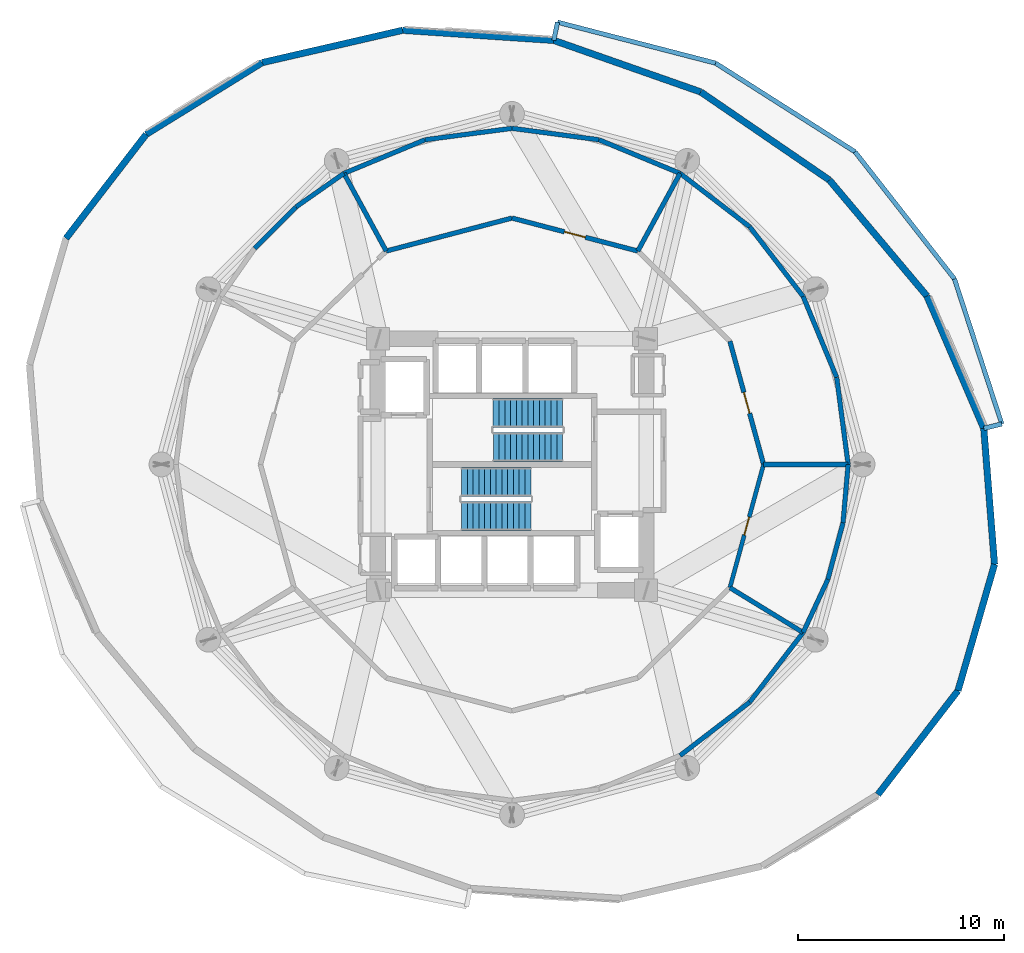
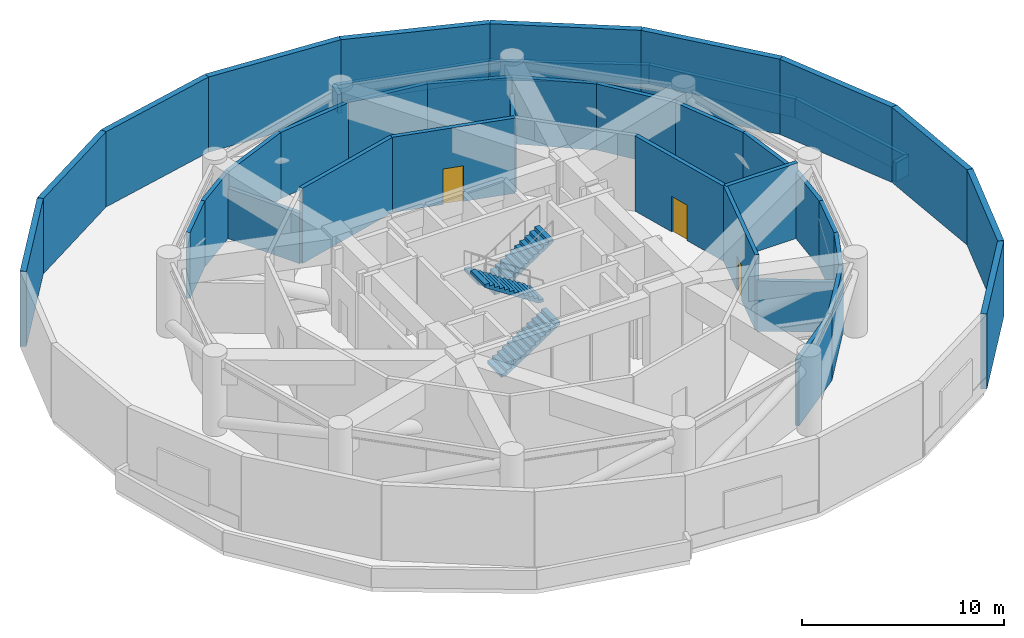
# One storey, part 4 of 6: 40 walls, 4 stair flights, 3 doors, 3 openings, 2 elements without a shape of their own.
"""IFC4 building model written with IfcOpenShell, lengths in metres."""

from ifc_helpers import new_model, si_unit, direction, frame, frame_2d, origin, place, context, subcontext, project, spatial, polyline, rectangle, outline, extrude, material, layer, layer_set, type_object, element, fill, aggregate, save


model = new_model("IFC4")

# Units and contexts
model_context = context("Model", 3, precision=1e-05, world=origin(), true_north=direction((0.0, 1.0)))
body_context = subcontext(model_context, "Body", "Model", "MODEL_VIEW")
ifc_project = project(units=[si_unit("LENGTHUNIT", "METRE"), si_unit("AREAUNIT", "SQUARE_METRE"), si_unit("VOLUMEUNIT", "CUBIC_METRE"), si_unit("PLANEANGLEUNIT", "RADIAN"), si_unit("MASSUNIT", "GRAM", prefix="KILO")], contexts=[model_context])

# Site, building, storey
site_placement = place(None, origin())
site = spatial("IfcSite", under=ifc_project, at=site_placement, CompositionType="ELEMENT")
building_placement = place(site_placement, origin())
building = spatial("IfcBuilding", under=site, at=building_placement, Name="Solvirekh Grand Hotel", CompositionType="ELEMENT")
storey_placement = place(building_placement, frame((0.0, 0.0, 93.199951171875)))
storey = spatial("IfcBuildingStorey", under=building, at=storey_placement, Name="L23", CompositionType="ELEMENT", Elevation=93.199951171875)

# Walls
ifc_material_1 = material(Name="Precast concrete C45/55", Category="concrete")
ifc_layer_1 = layer(ifc_material_1, 0.320068359375)
ifc_layer_set_1 = layer_set([ifc_layer_1], Name="Precast concrete C45/55")
wall_type_1 = type_object("IfcWallType", Name="ExtLobbyWall_RC320", PredefinedType="SOLIDWALL", material=ifc_layer_set_1)
wall_1_placement = place(storey_placement, frame((23.39990234375, -4.845947265625, 0.0), z_axis=(0.0, 0.0, 1.0), x_axis=(-0.277909152838, -0.960607361396, 0.0)))
element("IfcWall", 1, at=wall_1_placement, inside=storey, type_object=wall_type_1, Name="L23 exterior structural wall chord 1", PredefinedType="SOLIDWALL", context=body_context, shape_type="SweptSolid", body=[
    extrude(rectangle(XDim=6.369140625, YDim=0.320068359375, at=frame_2d((3.1845703125, 0.0))), origin(), (0.0, 0.0, 1.0), 4.550048828125),
])
wall_2_placement = place(storey_placement, frame((22.8798828125, 1.7470703125, 0.0), z_axis=(0.0, 0.0, 1.0), x_axis=(0.078630076914, -0.996903862468, 0.0)))
element("IfcWall", 2, at=wall_2_placement, inside=storey, type_object=wall_type_1, Name="L23 exterior structural wall chord 2", PredefinedType="SOLIDWALL", context=body_context, shape_type="SweptSolid", body=[
    extrude(rectangle(XDim=6.613525390625, YDim=0.320068359375, at=frame_2d((3.306640625, 0.0))), origin(), (0.0, 0.0, 1.0), 4.550048828125),
])
wall_3_placement = place(storey_placement, frame((20.12109375, 8.16796875, 0.0), z_axis=(0.0, 0.0, 1.0), x_axis=(0.394762384769, -0.918783249505, 0.0)))
element("IfcWall", 3, at=wall_3_placement, inside=storey, type_object=wall_type_1, Name="L23 exterior structural wall chord 3", PredefinedType="SOLIDWALL", context=body_context, shape_type="SweptSolid", body=[
    extrude(rectangle(XDim=6.988525390625, YDim=0.320068359375, at=frame_2d((3.494140625, 0.0))), origin(), (0.0, 0.0, 1.0), 4.550048828125),
])
wall_4_placement = place(storey_placement, frame((15.39111328125, 13.7900390625, 0.0), z_axis=(0.0, 0.0, 1.0), x_axis=(0.643785719835, -0.765205819983, 0.0)))
element("IfcWall", 4, at=wall_4_placement, inside=storey, type_object=wall_type_1, Name="L23 exterior structural wall chord 4", PredefinedType="SOLIDWALL", context=body_context, shape_type="SweptSolid", body=[
    extrude(rectangle(XDim=7.34716796875, YDim=0.320068359375, at=frame_2d((3.673583984375, 0.0))), origin(), (0.0, 0.0, 1.0), 4.550048828125),
])
wall_5_placement = place(storey_placement, frame((9.155029296875, 18.06201171875, 0.0), z_axis=(0.0, 0.0, 1.0), x_axis=(0.824987866638, -0.565150440059, 0.0)))
element("IfcWall", 5, at=wall_5_placement, inside=storey, type_object=wall_type_1, Name="L23 exterior structural wall chord 5", PredefinedType="SOLIDWALL", context=body_context, shape_type="SweptSolid", body=[
    extrude(rectangle(XDim=7.55908203125, YDim=0.320068359375, at=frame_2d((3.779541015625, 0.0))), origin(), (0.0, 0.0, 1.0), 4.550048828125),
])
wall_6_placement = place(storey_placement, frame((2.02294921875, 20.56591796875, 0.0), z_axis=(0.0, 0.0, 1.0), x_axis=(0.943541194122, -0.331255211273, 0.0)))
element("IfcWall", 6, at=wall_6_placement, inside=storey, type_object=wall_type_1, Name="L23 exterior structural wall chord 6", PredefinedType="SOLIDWALL", context=body_context, shape_type="SweptSolid", body=[
    extrude(rectangle(XDim=7.558837890625, YDim=0.320068359375, at=frame_2d((3.779296875, 0.0))), origin(), (0.0, 0.0, 1.0), 4.550048828125),
])
wall_7_placement = place(storey_placement, frame((-5.306884765625, 21.056884765625, 0.0), z_axis=(0.0, 0.0, 1.0), x_axis=(0.997764227577, -0.066832224017, 0.0)))
element("IfcWall", 7, at=wall_7_placement, inside=storey, type_object=wall_type_1, Name="L23 exterior structural wall chord 7", PredefinedType="SOLIDWALL", context=body_context, shape_type="SweptSolid", body=[
    extrude(rectangle(XDim=7.34619140625, YDim=0.320068359375, at=frame_2d((3.673095703125, 0.0))), origin(), (0.0, 0.0, 1.0), 4.550048828125),
])
wall_8_placement = place(storey_placement, frame((-12.117919921875, 19.487060546875, 0.0), z_axis=(0.0, 0.0, 1.0), x_axis=(0.974452383639, 0.224594194093, 0.0)))
element("IfcWall", 8, at=wall_8_placement, inside=storey, type_object=wall_type_1, Name="L23 exterior structural wall chord 8", PredefinedType="SOLIDWALL", context=body_context, shape_type="SweptSolid", body=[
    extrude(rectangle(XDim=6.989501953125, YDim=0.320068359375, at=frame_2d((3.49462890625, 0.0))), origin(), (0.0, 0.0, 1.0), 4.550048828125),
])
wall_9_placement = place(storey_placement, frame((-17.741943359375, 16.009033203125, 0.0), z_axis=(0.0, 0.0, 1.0), x_axis=(0.850502683373, 0.525970707906, 0.0)))
element("IfcWall", 9, at=wall_9_placement, inside=storey, type_object=wall_type_1, Name="L23 exterior structural wall chord 9", PredefinedType="SOLIDWALL", context=body_context, shape_type="SweptSolid", body=[
    extrude(rectangle(XDim=6.612548828125, YDim=0.320068359375, at=frame_2d((3.30615234375, 0.0))), origin(), (0.0, 0.0, 1.0), 4.550048828125),
])
for number, where, z_axis, x_axis, name in (
    (10, (-21.6298828125, 10.964111328125, 0.0), (0.0, 0.0, 1.0), (0.61042370158, 0.792075062446, 0.0), "L23 exterior structural wall chord 10"),
    (11, (21.6298828125, -10.964111328125, 0.0), (0.0, 0.0, 1.0), (-0.61042370158, -0.792075062446, 0.0), "L23 exterior structural wall chord 20"),
):
    element("IfcWall", number, at=place(storey_placement, frame(where, z_axis=z_axis, x_axis=x_axis)), inside=storey, type_object=wall_type_1, Name=name, PredefinedType="SOLIDWALL", context=body_context, shape_type="SweptSolid", body=[
        extrude(rectangle(XDim=6.369140625, YDim=0.320068359375, at=frame_2d((3.1845703125, 0.0))), origin(), (0.0, 0.0, 1.0), 4.550048828125),
    ])
ifc_layer_2 = layer(ifc_material_1, 0.219970703125)
ifc_layer_set_2 = layer_set([ifc_layer_2], Name="Precast concrete C45/55")
wall_type_2 = type_object("IfcWallType", Name="ExtParapet_RC220", PredefinedType="PARAPET", material=ifc_layer_set_2)
wall_10_placement = place(storey_placement, frame((22.8798828125, 1.7470703125, 0.0), z_axis=(0.0, 0.0, 1.0), x_axis=(0.969694226738, 0.24432172771, 0.0)))
element("IfcWall", 12, at=wall_10_placement, inside=storey, type_object=wall_type_2, Name="L23 mechanical setback parapet rcap 1", PredefinedType="PARAPET", context=body_context, shape_type="SweptSolid", body=[
    extrude(rectangle(XDim=0.900390625, YDim=0.219970703125, at=frame_2d((0.4501953125, 0.0))), origin(), (0.0, 0.0, 1.0), 1.150146484375),
])
wall_11_placement = place(storey_placement, frame((23.7529296875, 1.967041015625, 0.0), z_axis=(0.0, 0.0, 1.0), x_axis=(-0.310647679002, 0.950525128301, 0.0)))
element("IfcWall", 13, at=wall_11_placement, inside=storey, type_object=wall_type_2, Name="L23 mechanical setback parapet rcap 2", PredefinedType="PARAPET", context=body_context, shape_type="SweptSolid", body=[
    extrude(rectangle(XDim=7.39697265625, YDim=0.219970703125, at=frame_2d((3.698486328125, 0.0))), origin(), (0.0, 0.0, 1.0), 1.150146484375),
])
wall_12_placement = place(storey_placement, frame((21.455078125, 8.998046875, 0.0), z_axis=(0.0, 0.0, 1.0), x_axis=(-0.616181284181, 0.78760435818, 0.0)))
element("IfcWall", 14, at=wall_12_placement, inside=storey, type_object=wall_type_2, Name="L23 mechanical setback parapet rcap 3", PredefinedType="PARAPET", context=body_context, shape_type="SweptSolid", body=[
    extrude(rectangle(XDim=7.828857421875, YDim=0.219970703125, at=frame_2d((3.91455078125, 0.0))), origin(), (0.0, 0.0, 1.0), 1.150146484375),
])
wall_13_placement = place(storey_placement, frame((16.631103515625, 15.1640625, 0.0), z_axis=(0.0, 0.0, 1.0), x_axis=(-0.843946046622, 0.536428066371, 0.0)))
element("IfcWall", 15, at=wall_13_placement, inside=storey, type_object=wall_type_2, Name="L23 mechanical setback parapet rcap 4", PredefinedType="PARAPET", context=body_context, shape_type="SweptSolid", body=[
    extrude(rectangle(XDim=8.01611328125, YDim=0.219970703125, at=frame_2d((4.008056640625, 0.0))), origin(), (0.0, 0.0, 1.0), 1.150146484375),
])
wall_14_placement = place(storey_placement, frame((9.865966796875, 19.464111328125, 0.0), z_axis=(0.0, 0.0, 1.0), x_axis=(-0.968088725309, 0.250607701258, 0.0)))
element("IfcWall", 16, at=wall_14_placement, inside=storey, type_object=wall_type_2, Name="L23 mechanical setback parapet rcap 5", PredefinedType="PARAPET", context=body_context, shape_type="SweptSolid", body=[
    extrude(rectangle(XDim=7.912353515625, YDim=0.219970703125, at=frame_2d((3.9560546875, 0.0))), origin(), (0.0, 0.0, 1.0), 1.150146484375),
])
wall_15_placement = place(storey_placement, frame((2.2060546875, 21.447021484375, 0.0), z_axis=(0.0, 0.0, 1.0), x_axis=(-0.203466721206, -0.979081862441, 0.0)))
element("IfcWall", 17, at=wall_15_placement, inside=storey, type_object=wall_type_2, Name="L23 mechanical setback parapet rcap 6", PredefinedType="PARAPET", context=body_context, shape_type="SweptSolid", body=[
    extrude(rectangle(XDim=0.89990234375, YDim=0.219970703125, at=frame_2d((0.449951171875, 0.0))), origin(), (0.0, 0.0, 1.0), 1.150146484375),
])
ifc_layer_3 = layer(ifc_material_1, 0.22509765625)
ifc_layer_set_3 = layer_set([ifc_layer_3], Name="Precast concrete C45/55")
wall_type_3 = type_object("IfcWallType", Name="Part_Plant_225", PredefinedType="PARTITIONING", material=ifc_layer_set_3)
wall_16_placement = place(storey_placement, frame((12.199951171875, 0.0, 0.0), z_axis=(0.0, 0.0, 1.0), x_axis=(1.0, 0.0, 0.0)))
element("IfcWall", 18, at=wall_16_placement, inside=storey, type_object=wall_type_3, Name="L23 radial demising wall 1", PredefinedType="PARTITIONING", context=body_context, shape_type="SweptSolid", body=[
    extrude(rectangle(XDim=4.10009765625, YDim=0.22509765625, at=frame_2d((2.050048828125, 0.0))), origin(), (0.0, 0.0, 1.0), 4.550048828125),
])
for number, where, z_axis, x_axis, name in (
    (19, (6.10009765625, 10.34912109375, 0.0), (0.0, 0.0, 1.0), (0.477982356996, 0.878369436172, 0.0), "L23 radial demising wall 3"),
    (20, (-6.10009765625, 10.34912109375, 0.0), (0.0, 0.0, 1.0), (-0.477982356996, 0.878369436172, 0.0), "L23 radial demising wall 5"),
):
    element("IfcWall", number, at=place(storey_placement, frame(where, z_axis=z_axis, x_axis=x_axis)), inside=storey, type_object=wall_type_3, Name=name, PredefinedType="PARTITIONING", context=body_context, shape_type="SweptSolid", body=[
        extrude(rectangle(XDim=4.28857421875, YDim=0.22509765625, at=frame_2d((2.144287109375, 0.0))), origin(), (0.0, 0.0, 1.0), 3.03515625),
    ])
wall_17_placement = place(storey_placement, frame((10.56591796875, -5.97509765625, 0.0), z_axis=(0.0, 0.0, 1.0), x_axis=(0.852711641588, -0.522381906559, 0.0)))
element("IfcWall", 21, at=wall_17_placement, inside=storey, type_object=wall_type_3, Name="L23 radial demising wall 12", PredefinedType="PARTITIONING", context=body_context, shape_type="SweptSolid", body=[
    extrude(rectangle(XDim=4.163330078125, YDim=0.22509765625, at=frame_2d((2.08154296875, 0.0))), origin(), (0.0, 0.0, 1.0), 3.03515625),
])

# Wall, opening, door
wall_18_placement = place(storey_placement, frame((12.199951171875, 0.0, 0.0), z_axis=(0.0, 0.0, 1.0), x_axis=(-0.263787657435, 0.964580775148, 0.0)))
wall_18 = element("IfcWall", 22, at=wall_18_placement, inside=storey, type_object=wall_type_3, Name="L23 East Air-Handling Plant Room corridor wall", PredefinedType="PARTITIONING", context=body_context, shape_type="SweptSolid", body=[
    extrude(rectangle(XDim=6.194580078125, YDim=0.22509765625, at=frame_2d((3.09716796875, 0.0))), origin(), (0.0, 0.0, 1.0), 4.550048828125),
])
opening_1_placement = place(wall_18_placement, frame((2.572021484375, 0.0, 0.0)))
opening_1 = element("IfcOpeningElement", 23, at=opening_1_placement, cuts=wall_18, Name="Opening D12", PredefinedType="OPENING", context=body_context, shape_type="SweptSolid", body=[
    extrude(rectangle(XDim=1.050048828125, YDim=2.14990234375, at=frame_2d((0.52490234375, 1.074951171875))), frame((0.0, 0.12255859375, 0.0), z_axis=(0.0, -1.0, 0.0), x_axis=(1.0, 0.0, 0.0)), (0.0, 0.0, 1.0), 0.2451171875),
])
ifc_material_2 = material(Name="Fire-Rated Steel Door Assembly", Category="steel")
door_type_1 = type_object("IfcDoorType", Name="Door_PlantBOH_1050X2150", OperationType="NOTDEFINED", PredefinedType="DOOR", material=ifc_material_2)
door_1_placement = place(opening_1_placement, origin())
door_1 = element("IfcDoor", 24, at=door_1_placement, inside=storey, type_object=door_type_1, Name="L23 East Air-Handling Plant Room entrance door", OperationType="SINGLE_SWING_LEFT", OverallHeight=2.14990234375, OverallWidth=1.050048828125, PredefinedType="DOOR", context=body_context, shape_type="SweptSolid", body=[
    extrude(rectangle(XDim=1.050048828125, YDim=2.14990234375, at=frame_2d((0.52490234375, 1.074951171875))), frame((0.0, 0.02490234375, 0.0), z_axis=(0.0, -1.0, 0.0), x_axis=(1.0, 0.0, 0.0)), (0.0, 0.0, 1.0), 0.050048828125),
])
fill(opening_1, door_1)

# Walls
wall_19_placement = place(storey_placement, frame((16.300048828125, 0.0, 0.0), z_axis=(0.0, 0.0, 1.0), x_axis=(-0.130408504789, 0.991460348112, 0.0)))
element("IfcWall", 25, at=wall_19_placement, inside=storey, type_object=wall_type_3, Name="L23 East Air-Handling Plant Room perimeter acoustic baffle wall 1", PredefinedType="PARTITIONING", context=body_context, shape_type="SweptSolid", body=[
    extrude(rectangle(XDim=4.25537109375, YDim=0.22509765625, at=frame_2d((2.127685546875, 0.0))), origin(), (0.0, 0.0, 1.0), 4.0029296875),
])
for number, where, z_axis, x_axis, name in (
    (26, (15.7451171875, 4.218994140625, 0.0), (0.0, 0.0, 1.0), (-0.382866948124, 0.92380349644, 0.0), "L23 East Air-Handling Plant Room perimeter acoustic baffle wall 2"),
    (27, (14.115966796875, 8.14990234375, 0.0), (0.0, 0.0, 1.0), (-0.608703733473, 0.7933976083, 0.0), "L23 East Air-Handling Plant Room perimeter acoustic baffle wall 3"),
    (28, (11.52587890625, 11.52587890625, 0.0), (0.0, 0.0, 1.0), (-0.7933976083, 0.608703733473, 0.0), "L23 East Air-Handling Plant Room perimeter acoustic baffle wall 4"),
):
    element("IfcWall", number, at=place(storey_placement, frame(where, z_axis=z_axis, x_axis=x_axis)), inside=storey, type_object=wall_type_3, Name=name, PredefinedType="PARTITIONING", context=body_context, shape_type="SweptSolid", body=[
        extrude(rectangle(XDim=4.255126953125, YDim=0.22509765625, at=frame_2d((2.12744140625, 0.0))), origin(), (0.0, 0.0, 1.0), 4.0029296875),
    ])

# Wall, opening, door
wall_20_placement = place(storey_placement, frame((6.10009765625, 10.34912109375, 0.0), z_axis=(0.0, 0.0, 1.0), x_axis=(-0.967248312895, 0.253832033445, 0.0)))
wall_20 = element("IfcWall", 29, at=wall_20_placement, inside=storey, type_object=wall_type_3, Name="L23 North Heat-Recovery Plant Room corridor wall", PredefinedType="PARTITIONING", context=body_context, shape_type="SweptSolid", body=[
    extrude(rectangle(XDim=6.306640625, YDim=0.22509765625, at=frame_2d((3.1533203125, 0.0))), origin(), (0.0, 0.0, 1.0), 4.550048828125),
])
opening_2_placement = place(wall_20_placement, frame((2.6279296875, 0.0, 0.0)))
opening_2 = element("IfcOpeningElement", 30, at=opening_2_placement, cuts=wall_20, Name="Opening D12", PredefinedType="OPENING", context=body_context, shape_type="SweptSolid", body=[
    extrude(rectangle(XDim=1.050048828125, YDim=2.14990234375, at=frame_2d((0.52490234375, 1.074951171875))), frame((0.0, 0.12255859375, 0.0), z_axis=(0.0, -1.0, 0.0), x_axis=(1.0, 0.0, 0.0)), (0.0, 0.0, 1.0), 0.2451171875),
])
door_2_placement = place(opening_2_placement, origin())
door_2 = element("IfcDoor", 31, at=door_2_placement, inside=storey, type_object=door_type_1, Name="L23 North Heat-Recovery Plant Room entrance door", OperationType="SINGLE_SWING_RIGHT", OverallHeight=2.14990234375, OverallWidth=1.050048828125, PredefinedType="DOOR", context=body_context, shape_type="SweptSolid", body=[
    extrude(rectangle(XDim=1.050048828125, YDim=2.14990234375, at=frame_2d((0.52490234375, 1.074951171875))), frame((0.0, 0.02490234375, 0.0), z_axis=(0.0, -1.0, 0.0), x_axis=(1.0, 0.0, 0.0)), (0.0, 0.0, 1.0), 0.050048828125),
])
fill(opening_2, door_2)

# Walls
wall_21_placement = place(storey_placement, frame((0.0, 11.949951171875, 0.0), z_axis=(0.0, 0.0, 1.0), x_axis=(-0.967248312895, -0.253832033445, 0.0)))
element("IfcWall", 32, at=wall_21_placement, inside=storey, type_object=wall_type_3, Name="L23 North Heat-Recovery Plant Room corridor wall 2", PredefinedType="PARTITIONING", context=body_context, shape_type="SweptSolid", body=[
    extrude(rectangle(XDim=6.306640625, YDim=0.22509765625, at=frame_2d((3.1533203125, 0.0))), origin(), (0.0, 0.0, 1.0), 4.550048828125),
])
wall_22_placement = place(storey_placement, frame((8.14990234375, 14.115966796875, 0.0), z_axis=(0.0, 0.0, 1.0), x_axis=(-0.92380349644, 0.382866948124, 0.0)))
element("IfcWall", 33, at=wall_22_placement, inside=storey, type_object=wall_type_3, Name="L23 North Heat-Recovery Plant Room perimeter acoustic baffle wall 1", PredefinedType="PARTITIONING", context=body_context, shape_type="SweptSolid", body=[
    extrude(rectangle(XDim=4.255126953125, YDim=0.22509765625, at=frame_2d((2.12744140625, 0.0))), origin(), (0.0, 0.0, 1.0), 4.0029296875),
])
for number, where, z_axis, x_axis, name in (
    (34, (4.218994140625, 15.7451171875, 0.0), (0.0, 0.0, 1.0), (-0.991460348112, 0.130408504789, 0.0), "L23 North Heat-Recovery Plant Room perimeter acoustic baffle wall 2"),
    (35, (0.0, 16.300048828125, 0.0), (0.0, 0.0, 1.0), (-0.991460348112, -0.130408504789, 0.0), "L23 North Heat-Recovery Plant Room perimeter acoustic baffle wall 3"),
):
    element("IfcWall", number, at=place(storey_placement, frame(where, z_axis=z_axis, x_axis=x_axis)), inside=storey, type_object=wall_type_3, Name=name, PredefinedType="PARTITIONING", context=body_context, shape_type="SweptSolid", body=[
        extrude(rectangle(XDim=4.25537109375, YDim=0.22509765625, at=frame_2d((2.127685546875, 0.0))), origin(), (0.0, 0.0, 1.0), 4.0029296875),
    ])
wall_23_placement = place(storey_placement, frame((-4.218994140625, 15.7451171875, 0.0), z_axis=(0.0, 0.0, 1.0), x_axis=(-0.92380349644, -0.382866948124, 0.0)))
element("IfcWall", 36, at=wall_23_placement, inside=storey, type_object=wall_type_3, Name="L23 North Heat-Recovery Plant Room perimeter acoustic baffle wall 4", PredefinedType="PARTITIONING", context=body_context, shape_type="SweptSolid", body=[
    extrude(rectangle(XDim=4.255126953125, YDim=0.22509765625, at=frame_2d((2.12744140625, 0.0))), origin(), (0.0, 0.0, 1.0), 4.0029296875),
])
wall_24_placement = place(storey_placement, frame((-8.14990234375, 14.115966796875, 0.0), z_axis=(0.0, 0.0, 1.0), x_axis=(-0.819248071333, -0.57343927108, 0.0)))
element("IfcWall", 37, at=wall_24_placement, inside=storey, type_object=wall_type_3, Name="L23 Booster Pump & Smoke-Extract Plant Room perimeter acoustic baffle wall 1", PredefinedType="PARTITIONING", context=body_context, shape_type="SweptSolid", body=[
    extrude(rectangle(XDim=2.840576171875, YDim=0.22509765625, at=frame_2d((1.42041015625, 0.0))), origin(), (0.0, 0.0, 1.0), 4.0029296875),
])
wall_25_placement = place(storey_placement, frame((-10.47705078125, 12.487060546875, 0.0), z_axis=(0.0, 0.0, 1.0), x_axis=(-0.707106781187, -0.707106781187, 0.0)))
element("IfcWall", 38, at=wall_25_placement, inside=storey, type_object=wall_type_3, Name="L23 Booster Pump & Smoke-Extract Plant Room perimeter acoustic baffle wall 2", PredefinedType="PARTITIONING", context=body_context, shape_type="SweptSolid", body=[
    extrude(rectangle(XDim=2.842529296875, YDim=0.22509765625, at=frame_2d((1.42138671875, 0.0))), origin(), (0.0, 0.0, 1.0), 4.0029296875),
])
for number, where, z_axis, x_axis, name in (
    (39, (8.14990234375, -14.115966796875, 0.0), (0.0, 0.0, 1.0), (0.7933976083, 0.608703733473, 0.0), "L23 Pressurized Occupant Refuge Area perimeter acoustic baffle wall 7"),
    (40, (11.52587890625, -11.52587890625, 0.0), (0.0, 0.0, 1.0), (0.608703733473, 0.7933976083, 0.0), "L23 Pressurized Occupant Refuge Area perimeter acoustic baffle wall 8"),
):
    element("IfcWall", number, at=place(storey_placement, frame(where, z_axis=z_axis, x_axis=x_axis)), inside=storey, type_object=wall_type_3, Name=name, PredefinedType="PARTITIONING", context=body_context, shape_type="SweptSolid", body=[
        extrude(rectangle(XDim=4.255126953125, YDim=0.22509765625, at=frame_2d((2.12744140625, 0.0))), origin(), (0.0, 0.0, 1.0), 4.0029296875),
    ])
wall_26_placement = place(storey_placement, frame((14.115966796875, -8.14990234375, 0.0), z_axis=(0.0, 0.0, 1.0), x_axis=(0.422678475111, 0.906279706646, 0.0)))
element("IfcWall", 41, at=wall_26_placement, inside=storey, type_object=wall_type_3, Name="L23 Refuge Public & Accessible Restrooms perimeter acoustic baffle wall 1", PredefinedType="PARTITIONING", context=body_context, shape_type="SweptSolid", body=[
    extrude(rectangle(XDim=2.84130859375, YDim=0.22509765625, at=frame_2d((1.420654296875, 0.0))), origin(), (0.0, 0.0, 1.0), 4.0029296875),
])
wall_27_placement = place(storey_placement, frame((15.31689453125, -5.574951171875, 0.0), z_axis=(0.0, 0.0, 1.0), x_axis=(0.258694571034, 0.96595917042, 0.0)))
element("IfcWall", 42, at=wall_27_placement, inside=storey, type_object=wall_type_3, Name="L23 Refuge Public & Accessible Restrooms perimeter acoustic baffle wall 2", PredefinedType="PARTITIONING", context=body_context, shape_type="SweptSolid", body=[
    extrude(rectangle(XDim=2.841552734375, YDim=0.22509765625, at=frame_2d((1.4208984375, 0.0))), origin(), (0.0, 0.0, 1.0), 4.0029296875),
])
wall_28_placement = place(storey_placement, frame((16.052001953125, -2.830078125, 0.0), z_axis=(0.0, 0.0, 1.0), x_axis=(0.087311932133, 0.996181020953, 0.0)))
element("IfcWall", 43, at=wall_28_placement, inside=storey, type_object=wall_type_3, Name="L23 Refuge Public & Accessible Restrooms perimeter acoustic baffle wall 3", PredefinedType="PARTITIONING", context=body_context, shape_type="SweptSolid", body=[
    extrude(rectangle(XDim=2.8408203125, YDim=0.22509765625, at=frame_2d((1.42041015625, 0.0))), origin(), (0.0, 0.0, 1.0), 4.0029296875),
])

# Wall, opening, door
ifc_material_3 = material(Name="Acoustic Gypsum Partition Assembly")
ifc_layer_4 = layer(ifc_material_3, 0.199951171875)
ifc_layer_set_4 = layer_set([ifc_layer_4], Name="Acoustic Gypsum Partition Assembly")
wall_type_4 = type_object("IfcWallType", Name="Plumb_PublicWC_200", PredefinedType="PLUMBINGWALL", material=ifc_layer_set_4)
wall_29_placement = place(storey_placement, frame((10.56591796875, -5.97509765625, 0.0), z_axis=(0.0, 0.0, 1.0), x_axis=(0.263787657435, 0.964580775148, 0.0)))
wall_29 = element("IfcWall", 44, at=wall_29_placement, inside=storey, type_object=wall_type_4, Name="L23 Refuge Public & Accessible Restrooms corridor wall", PredefinedType="PLUMBINGWALL", context=body_context, shape_type="SweptSolid", body=[
    extrude(rectangle(XDim=6.194580078125, YDim=0.199951171875, at=frame_2d((3.09716796875, 0.0))), origin(), (0.0, 0.0, 1.0), 4.550048828125),
])
opening_3_placement = place(wall_29_placement, frame((2.64697265625, 0.0, 0.0)))
opening_3 = element("IfcOpeningElement", 45, at=opening_3_placement, cuts=wall_29, Name="Opening D09", PredefinedType="OPENING", context=body_context, shape_type="SweptSolid", body=[
    extrude(rectangle(XDim=0.89990234375, YDim=2.10009765625, at=frame_2d((0.449951171875, 1.050048828125))), frame((0.0, 0.10986328125, 0.0), z_axis=(0.0, -1.0, 0.0), x_axis=(1.0, 0.0, 0.0)), (0.0, 0.0, 1.0), 0.219970703125),
])
ifc_material_4 = material(Name="Anodized Bronze Aluminium 6063-T6", Category="aluminium")
door_type_2 = type_object("IfcDoorType", Name="Door_Ensuite_900X2100", OperationType="NOTDEFINED", PredefinedType="DOOR", material=ifc_material_4)
door_3_placement = place(opening_3_placement, origin())
door_3 = element("IfcDoor", 46, at=door_3_placement, inside=storey, type_object=door_type_2, Name="L23 Refuge Public & Accessible Restrooms entrance door", OperationType="SINGLE_SWING_RIGHT", OverallHeight=2.10009765625, OverallWidth=0.89990234375, PredefinedType="DOOR", context=body_context, shape_type="SweptSolid", body=[
    extrude(rectangle(XDim=0.89990234375, YDim=2.10009765625, at=frame_2d((0.449951171875, 1.050048828125))), frame((0.0, 0.02490234375, 0.0), z_axis=(0.0, -1.0, 0.0), x_axis=(1.0, 0.0, 0.0)), (0.0, 0.0, 1.0), 0.050048828125),
])
fill(opening_3, door_3)

# Stair, stair flights
ifc_material_5 = material(Name="Concrete C40/50", Category="concrete")
stair_type = type_object("IfcStairType", Name="Stair_Core_1450", PredefinedType="HALF_TURN_STAIR", material=ifc_material_5)
stair_1_placement = place(storey_placement, origin())
stair_1 = element("IfcStair", 47, at=stair_1_placement, inside=storey, type_object=stair_type, Name="L23 Enclosed exit stair ST-1", PredefinedType="HALF_TURN_STAIR")
stair_flight_type = type_object("IfcStairFlightType", Name="Flight_Core_1450", PredefinedType="STRAIGHT", material=ifc_material_5)
stair_flight_1_placement = place(storey_placement, frame((-2.449951171875, -2.5, 0.0), z_axis=(0.0, 0.0, 1.0), x_axis=(1.0, 0.0, 0.0)))
stair_flight_1 = element("IfcStairFlight", 48, at=stair_flight_1_placement, type_object=stair_flight_type, Name="ST-1 flight 1", NumberOfRisers=13, NumberOfTreads=12, PredefinedType="STRAIGHT", RiserHeight=0.184615385, TreadLength=0.28, context=body_context, shape_type="SweptSolid", body=[
    extrude(outline(polyline([(0.0, 0.0), (0.0, 0.1845703125), (0.280029296875, 0.1845703125), (0.280029296875, 0.369140625), (0.56005859375, 0.369140625), (0.56005859375, 0.553955078125), (0.840087890625, 0.553955078125), (0.840087890625, 0.738525390625), (1.1201171875, 0.738525390625), (1.1201171875, 0.923095703125), (1.39990234375, 0.923095703125), (1.39990234375, 1.107666015625), (1.679931640625, 1.107666015625), (1.679931640625, 1.292236328125), (1.9599609375, 1.292236328125), (1.9599609375, 1.476806640625), (2.239990234375, 1.476806640625), (2.239990234375, 1.66162109375), (2.52001953125, 1.66162109375), (2.52001953125, 1.84619140625), (2.800048828125, 1.84619140625), (2.800048828125, 2.03076171875), (3.080078125, 2.03076171875), (3.080078125, 2.21533203125), (3.360107421875, 2.21533203125), (3.360107421875, 2.39990234375), (3.360107421875, 2.035888671875), (0.272216796875, 0.0), (0.0, 0.0)])), frame((0.0, 0.699951171875, 0.0), z_axis=(0.0, -1.0, 0.0), x_axis=(1.0, 0.0, 0.0)), (0.0, 0.0, 1.0), 1.39990234375),
])
stair_flight_2_placement = place(storey_placement, frame((0.909912109375, -0.85009765625, 2.400146484375), z_axis=(0.0, 0.0, 1.0), x_axis=(-1.0, 0.0, 0.0)))
stair_flight_2 = element("IfcStairFlight", 49, at=stair_flight_2_placement, type_object=stair_flight_type, Name="ST-1 flight 2", NumberOfRisers=13, NumberOfTreads=12, PredefinedType="STRAIGHT", RiserHeight=0.184615385, TreadLength=0.28, context=body_context, shape_type="SweptSolid", body=[
    extrude(outline(polyline([(0.0, 0.0), (0.0, 0.1845703125), (0.280029296875, 0.1845703125), (0.280029296875, 0.369140625), (0.56005859375, 0.369140625), (0.56005859375, 0.553955078125), (0.840087890625, 0.553955078125), (0.840087890625, 0.738525390625), (1.1201171875, 0.738525390625), (1.1201171875, 0.923095703125), (1.39990234375, 0.923095703125), (1.39990234375, 1.107666015625), (1.679931640625, 1.107666015625), (1.679931640625, 1.292236328125), (1.9599609375, 1.292236328125), (1.9599609375, 1.476806640625), (2.239990234375, 1.476806640625), (2.239990234375, 1.66162109375), (2.52001953125, 1.66162109375), (2.52001953125, 1.84619140625), (2.800048828125, 1.84619140625), (2.800048828125, 2.03076171875), (3.080078125, 2.03076171875), (3.080078125, 2.21533203125), (3.360107421875, 2.21533203125), (3.360107421875, 2.39990234375), (3.360107421875, 2.035888671875), (0.272216796875, 0.0), (0.0, 0.0)])), frame((0.0, 0.699951171875, 0.0), z_axis=(0.0, -1.0, 0.0), x_axis=(1.0, 0.0, 0.0)), (0.0, 0.0, 1.0), 1.39990234375),
])
aggregate(stair_1, [stair_flight_1, stair_flight_2])

stair_2_placement = place(storey_placement, origin())
stair_2 = element("IfcStair", 50, at=stair_2_placement, inside=storey, type_object=stair_type, Name="L23 Enclosed exit stair ST-2", PredefinedType="HALF_TURN_STAIR")
stair_flight_3_placement = place(storey_placement, frame((2.449951171875, 2.5, 0.0), z_axis=(0.0, 0.0, 1.0), x_axis=(-1.0, 0.0, 0.0)))
stair_flight_3 = element("IfcStairFlight", 51, at=stair_flight_3_placement, type_object=stair_flight_type, Name="ST-2 flight 1", NumberOfRisers=13, NumberOfTreads=12, PredefinedType="STRAIGHT", RiserHeight=0.184615385, TreadLength=0.28, context=body_context, shape_type="SweptSolid", body=[
    extrude(outline(polyline([(0.0, 0.0), (0.0, 0.1845703125), (0.280029296875, 0.1845703125), (0.280029296875, 0.369140625), (0.56005859375, 0.369140625), (0.56005859375, 0.553955078125), (0.840087890625, 0.553955078125), (0.840087890625, 0.738525390625), (1.1201171875, 0.738525390625), (1.1201171875, 0.923095703125), (1.39990234375, 0.923095703125), (1.39990234375, 1.107666015625), (1.679931640625, 1.107666015625), (1.679931640625, 1.292236328125), (1.9599609375, 1.292236328125), (1.9599609375, 1.476806640625), (2.239990234375, 1.476806640625), (2.239990234375, 1.66162109375), (2.52001953125, 1.66162109375), (2.52001953125, 1.84619140625), (2.800048828125, 1.84619140625), (2.800048828125, 2.03076171875), (3.080078125, 2.03076171875), (3.080078125, 2.21533203125), (3.360107421875, 2.21533203125), (3.360107421875, 2.39990234375), (3.360107421875, 2.035888671875), (0.272216796875, 0.0), (0.0, 0.0)])), frame((0.0, 0.699951171875, 0.0), z_axis=(0.0, -1.0, 0.0), x_axis=(1.0, 0.0, 0.0)), (0.0, 0.0, 1.0), 1.39990234375),
])
stair_flight_4_placement = place(storey_placement, frame((-0.909912109375, 0.85009765625, 2.400146484375), z_axis=(0.0, 0.0, 1.0), x_axis=(1.0, 0.0, 0.0)))
stair_flight_4 = element("IfcStairFlight", 52, at=stair_flight_4_placement, type_object=stair_flight_type, Name="ST-2 flight 2", NumberOfRisers=13, NumberOfTreads=12, PredefinedType="STRAIGHT", RiserHeight=0.184615385, TreadLength=0.28, context=body_context, shape_type="SweptSolid", body=[
    extrude(outline(polyline([(0.0, 0.0), (0.0, 0.1845703125), (0.280029296875, 0.1845703125), (0.280029296875, 0.369140625), (0.56005859375, 0.369140625), (0.56005859375, 0.553955078125), (0.840087890625, 0.553955078125), (0.840087890625, 0.738525390625), (1.1201171875, 0.738525390625), (1.1201171875, 0.923095703125), (1.39990234375, 0.923095703125), (1.39990234375, 1.107666015625), (1.679931640625, 1.107666015625), (1.679931640625, 1.292236328125), (1.9599609375, 1.292236328125), (1.9599609375, 1.476806640625), (2.239990234375, 1.476806640625), (2.239990234375, 1.66162109375), (2.52001953125, 1.66162109375), (2.52001953125, 1.84619140625), (2.800048828125, 1.84619140625), (2.800048828125, 2.03076171875), (3.080078125, 2.03076171875), (3.080078125, 2.21533203125), (3.360107421875, 2.21533203125), (3.360107421875, 2.39990234375), (3.360107421875, 2.035888671875), (0.272216796875, 0.0), (0.0, 0.0)])), frame((0.0, 0.699951171875, 0.0), z_axis=(0.0, -1.0, 0.0), x_axis=(1.0, 0.0, 0.0)), (0.0, 0.0, 1.0), 1.39990234375),
])
aggregate(stair_2, [stair_flight_3, stair_flight_4])

save(model, "model.ifc")
